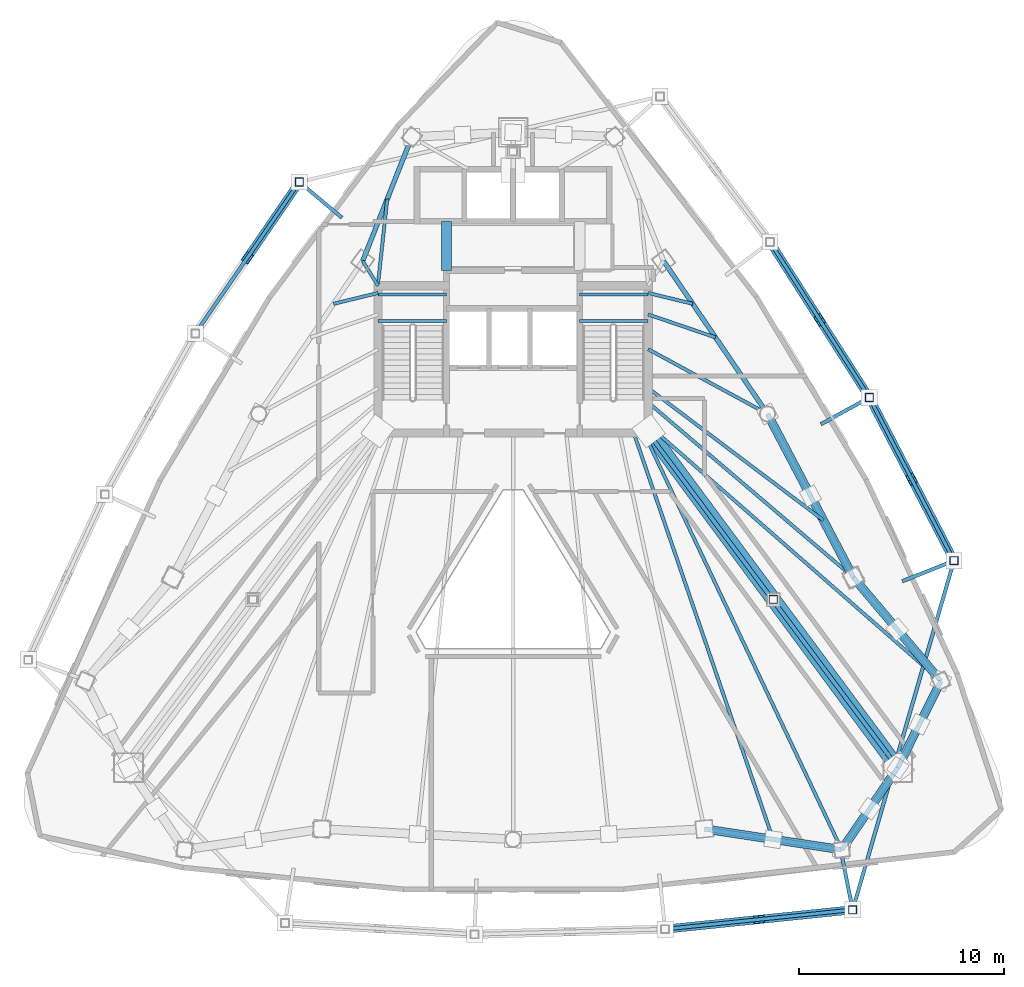
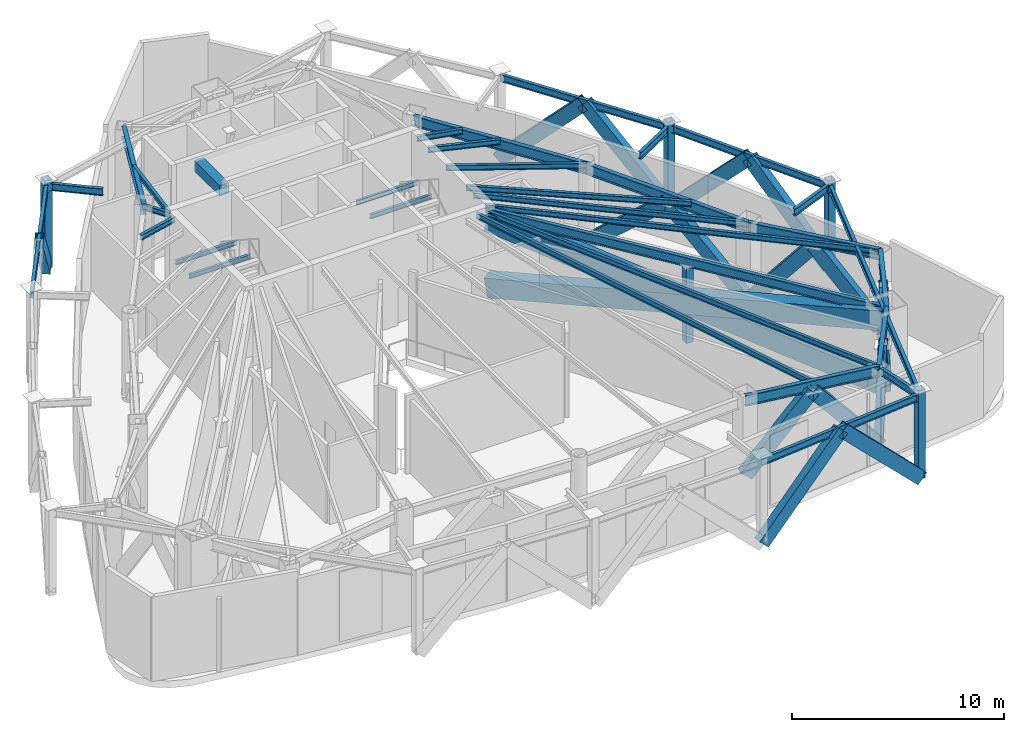
# One storey, part 3 of 10: 33 beams, 24 members.
"""IFC4 building model written with IfcOpenShell, lengths in metres."""

from ifc_helpers import new_model, si_unit, direction, frame, origin, origin_2d, place, context, subcontext, project, spatial, rectangle, hollow_rectangle, i_section, extrude, material, material_profile, profile_set, type_object, element, save


model = new_model("IFC4")

# Units and contexts
model_context = context("Model", 3, precision=1e-05, world=origin(), true_north=direction((0.0, 1.0)))
body_context = subcontext(model_context, "Body", "Model", "MODEL_VIEW")
ifc_project = project(units=[si_unit("LENGTHUNIT", "METRE"), si_unit("AREAUNIT", "SQUARE_METRE"), si_unit("VOLUMEUNIT", "CUBIC_METRE"), si_unit("PLANEANGLEUNIT", "RADIAN"), si_unit("MASSUNIT", "GRAM", prefix="KILO")], contexts=[model_context])

# Site, building, storey
site_placement = place(None, origin())
site = spatial("IfcSite", under=ifc_project, at=site_placement, CompositionType="ELEMENT")
building_placement = place(site_placement, origin())
building = spatial("IfcBuilding", under=site, at=building_placement, Name="Orvanel Arch Residences", CompositionType="ELEMENT")
storey_placement = place(building_placement, frame((0.0, 0.0, 191.300048828125)))
storey = spatial("IfcBuildingStorey", under=building, at=storey_placement, Name="L54", CompositionType="ELEMENT", Elevation=191.300048828125)

# Beams
ifc_material_1 = material(Name="Structural steel AS/NZS 3679.1 Grade 300 (300 MPa)", Category="steel")
ifc_material_profile_1 = material_profile(ifc_material_1, i_section(OverallWidth=0.208984375, OverallDepth=0.532958984375, WebThickness=0.01025390625, FlangeThickness=0.015625, at=origin_2d()), Name="530UB92.4")
ifc_profile_set_1 = profile_set([ifc_material_profile_1], Name="Structural steel AS/NZS 3679.1 Grade 300 (300 MPa)")
beam_type_1 = type_object("IfcBeamType", Name="BG-530UB", PredefinedType="BEAM", material=ifc_profile_set_1)
beam_1_placement = place(storey_placement, frame((39.625, 26.675048828125, 4.593017578125), z_axis=(0.597893733742, -0.801575375839, 0.0), x_axis=(0.801575375839, 0.597893733742, 0.0)))
element("IfcBeam", 1, at=beam_1_placement, inside=storey, type_object=beam_type_1, Name="L54 South-East Radial Girder", PredefinedType="BEAM", context=body_context, shape_type="SweptSolid", body=[
    extrude(i_section(OverallWidth=0.208984375, OverallDepth=0.532958984375, WebThickness=0.01025390625, FlangeThickness=0.015625, at=origin_2d()), origin(), (0.0, 0.0, 1.0), 20.36474609375),
])
ifc_material_profile_2 = material_profile(ifc_material_1, i_section(OverallWidth=0.14599609375, OverallDepth=0.251953125, WebThickness=0.006103515625, FlangeThickness=0.008544921875, at=origin_2d()), Name="250UB31.4")
ifc_profile_set_2 = profile_set([ifc_material_profile_2], Name="Structural steel AS/NZS 3679.1 Grade 300 (300 MPa)")
beam_type_2 = type_object("IfcBeamType", Name="BJ-250UB", PredefinedType="JOIST", material=ifc_profile_set_2)
for number, where, z_axis, x_axis, name in (
    (2, (26.39990234375, 32.179931640625, 2.223876953125), (1.0, 0.0, 0.0), (0.0, 1.0, 0.0), "L54 ST-1 Half-Landing Support Beam 1.1"),
    (3, (26.39990234375, 33.47998046875, 2.223876953125), (1.0, 0.0, 0.0), (0.0, 1.0, 0.0), "L54 ST-1 Half-Landing Support Beam 1.2"),
    (4, (36.25, 32.179931640625, 2.223876953125), (1.0, 0.0, 0.0), (0.0, 1.0, 0.0), "L54 ST-2 Half-Landing Support Beam 1.1"),
    (5, (36.25, 33.47998046875, 2.223876953125), (1.0, 0.0, 0.0), (0.0, 1.0, 0.0), "L54 ST-2 Half-Landing Support Beam 1.2"),
):
    element("IfcBeam", number, at=place(storey_placement, frame(where, z_axis=z_axis, x_axis=x_axis)), inside=storey, type_object=beam_type_2, Name=name, PredefinedType="JOIST", context=body_context, shape_type="SweptSolid", body=[
        extrude(i_section(OverallWidth=0.14599609375, OverallDepth=0.251953125, WebThickness=0.006103515625, FlangeThickness=0.008544921875, at=origin_2d()), origin(), (0.0, 0.0, 1.0), 3.35009765625),
    ])
ifc_material_profile_3 = material_profile(ifc_material_1, i_section(OverallWidth=0.1650390625, OverallDepth=0.303955078125, WebThickness=0.006103515625, FlangeThickness=0.01025390625, at=origin_2d()), Name="310UB40.4")
ifc_profile_set_3 = profile_set([ifc_material_profile_3], Name="Structural steel AS/NZS 3679.1 Grade 300 (300 MPa)")
beam_type_3 = type_object("IfcBeamType", Name="BJ-310UB", PredefinedType="JOIST", material=ifc_profile_set_3)
beam_2_placement = place(storey_placement, frame((26.39990234375, 33.89990234375, 4.7080078125), z_axis=(-0.526843290616, 0.84996243866, 0.0), x_axis=(-0.84996243866, -0.526843290616, 0.0)))
element("IfcBeam", 6, at=beam_2_placement, inside=storey, type_object=beam_type_3, Name="L54 NNW Wing Floor Joist", PredefinedType="JOIST", context=body_context, shape_type="SweptSolid", body=[
    extrude(i_section(OverallWidth=0.1650390625, OverallDepth=0.303955078125, WebThickness=0.006103515625, FlangeThickness=0.01025390625, at=origin_2d()), origin(), (0.0, 0.0, 1.0), 1.42724609375),
])
beam_3_placement = place(storey_placement, frame((39.60009765625, 30.800048828125, 4.7080078125), z_axis=(0.87925534649, -0.476350748576, 0.0), x_axis=(0.476350748576, 0.87925534649, 0.0)))
element("IfcBeam", 7, at=beam_3_placement, inside=storey, type_object=beam_type_3, Name="L54 NE Wing Floor Joist", PredefinedType="JOIST", context=body_context, shape_type="SweptSolid", body=[
    extrude(i_section(OverallWidth=0.1650390625, OverallDepth=0.303955078125, WebThickness=0.006103515625, FlangeThickness=0.01025390625, at=origin_2d()), origin(), (0.0, 0.0, 1.0), 6.631591796875),
])
beam_4_placement = place(storey_placement, frame((39.60009765625, 28.199951171875, 4.7080078125), z_axis=(0.760821315761, -0.648961420644, 0.0), x_axis=(0.648961420644, 0.760821315761, 0.0)))
element("IfcBeam", 8, at=beam_4_placement, inside=storey, type_object=beam_type_3, Name="L54 E Wing Floor Joist", PredefinedType="JOIST", context=body_context, shape_type="SweptSolid", body=[
    extrude(i_section(OverallWidth=0.1650390625, OverallDepth=0.303955078125, WebThickness=0.006103515625, FlangeThickness=0.01025390625, at=origin_2d()), origin(), (0.0, 0.0, 1.0), 13.18701171875),
])
beam_5_placement = place(storey_placement, frame((26.39990234375, 34.02001953125, 4.7080078125), z_axis=(0.108261441852, 0.99412245735, 0.0), x_axis=(-0.99412245735, 0.108261441852, 0.0)))
element("IfcBeam", 9, at=beam_5_placement, inside=storey, type_object=beam_type_3, Name="L54 NNW2 Wing Floor Joist", PredefinedType="JOIST", context=body_context, shape_type="SweptSolid", body=[
    extrude(i_section(OverallWidth=0.1650390625, OverallDepth=0.303955078125, WebThickness=0.006103515625, FlangeThickness=0.01025390625, at=origin_2d()), origin(), (0.0, 0.0, 1.0), 4.1494140625),
])
beam_6_placement = place(storey_placement, frame((39.60009765625, 32.5, 4.7080078125), z_axis=(0.9464126781, -0.322959815969, 0.0), x_axis=(0.322959815969, 0.9464126781, 0.0)))
element("IfcBeam", 10, at=beam_6_placement, inside=storey, type_object=beam_type_3, Name="L54 ENE Wing Floor Joist", PredefinedType="JOIST", context=body_context, shape_type="SweptSolid", body=[
    extrude(i_section(OverallWidth=0.1650390625, OverallDepth=0.303955078125, WebThickness=0.006103515625, FlangeThickness=0.01025390625, at=origin_2d()), origin(), (0.0, 0.0, 1.0), 3.477294921875),
])
beam_7_placement = place(storey_placement, frame((39.60009765625, 27.10009765625, 4.7080078125), z_axis=(0.752493154183, -0.658600070534, 0.0), x_axis=(0.658600070534, 0.752493154183, 0.0)))
element("IfcBeam", 11, at=beam_7_placement, inside=storey, type_object=beam_type_3, Name="L54 ME Wing Floor Joist", PredefinedType="JOIST", context=body_context, shape_type="SweptSolid", body=[
    extrude(i_section(OverallWidth=0.1650390625, OverallDepth=0.303955078125, WebThickness=0.006103515625, FlangeThickness=0.01025390625, at=origin_2d()), origin(), (0.0, 0.0, 1.0), 19.010009765625),
])
beam_8_placement = place(storey_placement, frame((39.39990234375, 26.699951171875, 4.7080078125), z_axis=(0.428614365266, -0.903487534993, 0.0), x_axis=(0.903487534993, 0.428614365266, 0.0)))
element("IfcBeam", 12, at=beam_8_placement, inside=storey, type_object=beam_type_3, Name="L54 MSE Wing Floor Joist", PredefinedType="JOIST", context=body_context, shape_type="SweptSolid", body=[
    extrude(i_section(OverallWidth=0.1650390625, OverallDepth=0.303955078125, WebThickness=0.006103515625, FlangeThickness=0.01025390625, at=origin_2d()), origin(), (0.0, 0.0, 1.0), 22.535888671875),
])
beam_9_placement = place(storey_placement, frame((39.60009765625, 28.89990234375, 4.7080078125), z_axis=(0.798363428886, -0.602175917334, 0.0), x_axis=(0.602175917334, 0.798363428886, 0.0)))
element("IfcBeam", 13, at=beam_9_placement, inside=storey, type_object=beam_type_3, Name="L54 CTE Wing Floor Joist", PredefinedType="JOIST", context=body_context, shape_type="SweptSolid", body=[
    extrude(i_section(OverallWidth=0.1650390625, OverallDepth=0.303955078125, WebThickness=0.006103515625, FlangeThickness=0.01025390625, at=origin_2d()), origin(), (0.0, 0.0, 1.0), 10.724365234375),
])
beam_10_placement = place(storey_placement, frame((38.89990234375, 26.699951171875, 4.7080078125), z_axis=(0.324257108963, -0.945968988544, 0.0), x_axis=(0.945968988544, 0.324257108963, 0.0)))
element("IfcBeam", 14, at=beam_10_placement, inside=storey, type_object=beam_type_3, Name="L54 JADD2 Wing Floor Joist", PredefinedType="JOIST", context=body_context, shape_type="SweptSolid", body=[
    extrude(i_section(OverallWidth=0.1650390625, OverallDepth=0.303955078125, WebThickness=0.006103515625, FlangeThickness=0.01025390625, at=origin_2d()), origin(), (0.0, 0.0, 1.0), 20.987060546875),
])
for number, where, z_axis, x_axis, name in (
    (15, (26.39990234375, 33.550048828125, 4.7080078125), (-0.971638471014, -0.236471312521, 0.0), (0.236471312521, -0.971638471014, 0.0), "L54 JADD3 Wing Floor Joist"),
    (16, (39.60009765625, 33.550048828125, 4.7080078125), (0.971638471014, -0.236471312521, 0.0), (0.236471312521, 0.971638471014, 0.0), "L54 JADD4 Wing Floor Joist"),
):
    element("IfcBeam", number, at=place(storey_placement, frame(where, z_axis=z_axis, x_axis=x_axis)), inside=storey, type_object=beam_type_3, Name=name, PredefinedType="JOIST", context=body_context, shape_type="SweptSolid", body=[
        extrude(i_section(OverallWidth=0.1650390625, OverallDepth=0.303955078125, WebThickness=0.006103515625, FlangeThickness=0.01025390625, at=origin_2d()), origin(), (0.0, 0.0, 1.0), 2.2373046875),
    ])

# Members
ifc_material_2 = material(Name="Structural steel AS/NZS 3678 Grade 350", Category="steel")
ifc_material_profile_4 = material_profile(ifc_material_2, hollow_rectangle(XDim=0.419921875, YDim=0.719970703125, WallThickness=0.02490234375, at=origin_2d()), Name="RHS720x420x25")
ifc_profile_set_4 = profile_set([ifc_material_profile_4], Name="Structural steel AS/NZS 3678 Grade 350")
member_type_1 = type_object("IfcMemberType", Name="BR-720RHS", PredefinedType="BRACE", material=ifc_profile_set_4)
for number, where, z_axis, x_axis, name in (
    (17, (42.35107421875, 7.35498046875, 0.300048828125), (0.6385667081, -0.09672858637, 0.763463253788), (0.149769136012, 0.988720994972, 0.0), "L54 Belt-Truss Chevron 07.1"),
    (18, (49.05908203125, 6.339111328125, 0.300048828125), (-0.6385695785, 0.096682539182, 0.763466685607), (-0.149698779423, -0.988731649862, 0.0), "L54 Belt-Truss Chevron 07.2"),
):
    element("IfcMember", number, at=place(storey_placement, frame(where, z_axis=z_axis, x_axis=x_axis)), inside=storey, type_object=member_type_1, Name=name, PredefinedType="BRACE", context=body_context, shape_type="SweptSolid", body=[
        extrude(hollow_rectangle(XDim=0.419921875, YDim=0.719970703125, WallThickness=0.02490234375, at=origin_2d()), origin(), (0.0, 0.0, 1.0), 5.25244140625),
    ])
member_1_placement = place(storey_placement, frame((49.05908203125, 6.339111328125, 0.300048828125), z_axis=(0.29237991119, 0.427817159454, 0.855269820355), x_axis=(-0.825610313036, 0.564240738522, 0.0)))
element("IfcMember", 19, at=member_1_placement, inside=storey, type_object=member_type_1, Name="L54 Belt-Truss Chevron 08.1", PredefinedType="BRACE", context=body_context, shape_type="SweptSolid", body=[
    extrude(hollow_rectangle(XDim=0.419921875, YDim=0.719970703125, WallThickness=0.02490234375, at=origin_2d()), origin(), (0.0, 0.0, 1.0), 4.6884765625),
])
member_2_placement = place(storey_placement, frame((51.801025390625, 10.35107421875, 0.300048828125), z_axis=(-0.292421015586, -0.427853184663, 0.855237745903), x_axis=(0.825595495301, -0.56426241957, 0.0)))
element("IfcMember", 20, at=member_2_placement, inside=storey, type_object=member_type_1, Name="L54 Belt-Truss Chevron 08.2", PredefinedType="BRACE", context=body_context, shape_type="SweptSolid", body=[
    extrude(hollow_rectangle(XDim=0.419921875, YDim=0.719970703125, WallThickness=0.02490234375, at=origin_2d()), origin(), (0.0, 0.0, 1.0), 4.688720703125),
])
member_3_placement = place(storey_placement, frame((51.801025390625, 10.35107421875, 0.300048828125), z_axis=(0.22604068618, 0.454441973631, 0.861619464029), x_axis=(-0.89535544198, 0.445352256665, 0.0)))
element("IfcMember", 21, at=member_3_placement, inside=storey, type_object=member_type_1, Name="L54 Belt-Truss Chevron 09.1", PredefinedType="BRACE", context=body_context, shape_type="SweptSolid", body=[
    extrude(hollow_rectangle(XDim=0.419921875, YDim=0.719970703125, WallThickness=0.02490234375, at=origin_2d()), origin(), (0.0, 0.0, 1.0), 4.654052734375),
])
member_4_placement = place(storey_placement, frame((53.905029296875, 14.580078125, 0.300048828125), z_axis=(-0.226062238647, -0.454275452413, 0.861701617494), x_axis=(0.895273400092, -0.44551715914, 0.0)))
element("IfcMember", 22, at=member_4_placement, inside=storey, type_object=member_type_1, Name="L54 Belt-Truss Chevron 09.2", PredefinedType="BRACE", context=body_context, shape_type="SweptSolid", body=[
    extrude(hollow_rectangle(XDim=0.419921875, YDim=0.719970703125, WallThickness=0.02490234375, at=origin_2d()), origin(), (0.0, 0.0, 1.0), 4.653564453125),
])
for number, where, z_axis, x_axis, name in (
    (23, (53.905029296875, 14.580078125, 0.300048828125), (-0.410701245615, 0.486654453456, 0.771033027686), (-0.764224490659, -0.644950329775, 0.0), "L54 Belt-Truss Chevron 10.1"),
    (24, (49.633056640625, 19.64208984375, 0.300048828125), (0.410701245615, -0.486654453456, 0.771033027686), (0.764224490659, 0.644950329775, 0.0), "L54 Belt-Truss Chevron 10.2"),
):
    element("IfcMember", number, at=place(storey_placement, frame(where, z_axis=z_axis, x_axis=x_axis)), inside=storey, type_object=member_type_1, Name=name, PredefinedType="BRACE", context=body_context, shape_type="SweptSolid", body=[
        extrude(hollow_rectangle(XDim=0.419921875, YDim=0.719970703125, WallThickness=0.02490234375, at=origin_2d()), origin(), (0.0, 0.0, 1.0), 5.200927734375),
    ])
member_5_placement = place(storey_placement, frame((49.633056640625, 19.64208984375, 0.300048828125), z_axis=(-0.347797573101, 0.662132865174, 0.663789813873), x_axis=(-0.885300033521, -0.465020269072, 0.0)))
element("IfcMember", 25, at=member_5_placement, inside=storey, type_object=member_type_1, Name="L54 Belt-Truss Chevron 11.1", PredefinedType="BRACE", context=body_context, shape_type="SweptSolid", body=[
    extrude(hollow_rectangle(XDim=0.419921875, YDim=0.719970703125, WallThickness=0.02490234375, at=origin_2d()), origin(), (0.0, 0.0, 1.0), 6.041015625),
])
member_6_placement = place(storey_placement, frame((45.430908203125, 27.64111328125, 0.300048828125), z_axis=(0.347834801435, -0.662042069196, 0.66386086609), x_axis=(0.885253281653, 0.465109263853, 0.0)))
element("IfcMember", 26, at=member_6_placement, inside=storey, type_object=member_type_1, Name="L54 Belt-Truss Chevron 11.2", PredefinedType="BRACE", context=body_context, shape_type="SweptSolid", body=[
    extrude(hollow_rectangle(XDim=0.419921875, YDim=0.719970703125, WallThickness=0.02490234375, at=origin_2d()), origin(), (0.0, 0.0, 1.0), 6.04052734375),
])
ifc_material_profile_5 = material_profile(ifc_material_2, hollow_rectangle(XDim=0.419921875, YDim=0.719970703125, WallThickness=0.02490234375, at=origin_2d()), Name="RHS720x420x25")
ifc_profile_set_5 = profile_set([ifc_material_profile_5], Name="Structural steel AS/NZS 3678 Grade 350")
member_type_2 = type_object("IfcMemberType", Name="BR-720RHS-EXT", PredefinedType="BRACE", material=ifc_profile_set_5)
member_7_placement = place(storey_placement, frame((22.553955078125, 38.972900390625, 0.0), z_axis=(-0.393052336052, -0.572182466547, 0.719803505202), x_axis=(0.824259158993, -0.566212715167, 0.0)))
element("IfcMember", 27, at=member_7_placement, inside=storey, type_object=member_type_2, Name="L54 Exterior Sky-Garden V-Frame Chevron F1B1.1", PredefinedType="BRACE", context=body_context, shape_type="SweptSolid", body=[
    extrude(hollow_rectangle(XDim=0.419921875, YDim=0.719970703125, WallThickness=0.02490234375, at=origin_2d()), origin(), (0.0, 0.0, 1.0), 6.4697265625),
])
member_8_placement = place(storey_placement, frame((40.427001953125, 2.45703125, 0.0), z_axis=(0.699813976138, 0.072313614123, 0.710655429878), x_axis=(-0.102785328673, 0.994703561977, 0.0)))
element("IfcMember", 28, at=member_8_placement, inside=storey, type_object=member_type_2, Name="L54 Exterior Sky-Garden V-Frame Chevron F2B3.1", PredefinedType="BRACE", context=body_context, shape_type="SweptSolid", body=[
    extrude(hollow_rectangle(XDim=0.419921875, YDim=0.719970703125, WallThickness=0.02490234375, at=origin_2d()), origin(), (0.0, 0.0, 1.0), 6.552978515625),
])
member_9_placement = place(storey_placement, frame((49.597900390625, 3.405029296875, 0.0), z_axis=(-0.699736037453, -0.072358220699, 0.710727631225), x_axis=(0.10285939557, -0.994695905663, 0.0)))
element("IfcMember", 29, at=member_9_placement, inside=storey, type_object=member_type_2, Name="L54 Exterior Sky-Garden V-Frame Chevron F2B3.2", PredefinedType="BRACE", context=body_context, shape_type="SweptSolid", body=[
    extrude(hollow_rectangle(XDim=0.419921875, YDim=0.719970703125, WallThickness=0.02490234375, at=origin_2d()), origin(), (0.0, 0.0, 1.0), 6.552490234375),
])
member_10_placement = place(storey_placement, frame((54.547119140625, 20.467041015625, 0.0), z_axis=(-0.319781083348, 0.61620588462, 0.719743264291), x_axis=(-0.887597362839, -0.460620148801, 0.0)))
element("IfcMember", 30, at=member_10_placement, inside=storey, type_object=member_type_2, Name="L54 Exterior Sky-Garden V-Frame Chevron F3B1.1", PredefinedType="BRACE", context=body_context, shape_type="SweptSolid", body=[
    extrude(hollow_rectangle(XDim=0.419921875, YDim=0.719970703125, WallThickness=0.02490234375, at=origin_2d()), origin(), (0.0, 0.0, 1.0), 6.470458984375),
])
member_11_placement = place(storey_placement, frame((50.409912109375, 28.44091796875, 0.0), z_axis=(0.3196530112, -0.616212214956, 0.719794733636), x_axis=(0.887674713916, 0.460471065621, 0.0)))
element("IfcMember", 31, at=member_11_placement, inside=storey, type_object=member_type_2, Name="L54 Exterior Sky-Garden V-Frame Chevron F3B1.2", PredefinedType="BRACE", context=body_context, shape_type="SweptSolid", body=[
    extrude(hollow_rectangle(XDim=0.419921875, YDim=0.719970703125, WallThickness=0.02490234375, at=origin_2d()), origin(), (0.0, 0.0, 1.0), 6.469970703125),
])
member_12_placement = place(storey_placement, frame((50.409912109375, 28.44091796875, 0.0), z_axis=(-0.374446508313, 0.586134404573, 0.718495840063), x_axis=(-0.842714687046, -0.538360433387, 0.0)))
element("IfcMember", 32, at=member_12_placement, inside=storey, type_object=member_type_2, Name="L54 Exterior Sky-Garden V-Frame Chevron F3B2.1", PredefinedType="BRACE", context=body_context, shape_type="SweptSolid", body=[
    extrude(hollow_rectangle(XDim=0.419921875, YDim=0.719970703125, WallThickness=0.02490234375, at=origin_2d()), origin(), (0.0, 0.0, 1.0), 6.481689453125),
])
member_13_placement = place(storey_placement, frame((45.555908203125, 36.0400390625, 0.0), z_axis=(0.374413440537, -0.586233296646, 0.718432388919), x_axis=(0.842777453907, 0.538262169566, 0.0)))
element("IfcMember", 33, at=member_13_placement, inside=storey, type_object=member_type_2, Name="L54 Exterior Sky-Garden V-Frame Chevron F3B2.2", PredefinedType="BRACE", context=body_context, shape_type="SweptSolid", body=[
    extrude(hollow_rectangle(XDim=0.419921875, YDim=0.719970703125, WallThickness=0.02490234375, at=origin_2d()), origin(), (0.0, 0.0, 1.0), 6.482177734375),
])

# Beams
ifc_material_3 = material(Name="Concrete S65 (65 MPa)", Category="concrete")
ifc_material_profile_6 = material_profile(ifc_material_3, rectangle(XDim=0.5, YDim=0.60009765625, at=origin_2d()), Name="RC500x600")
ifc_profile_set_6 = profile_set([ifc_material_profile_6], Name="Concrete S65 (65 MPa)")
beam_type_4 = type_object("IfcBeamType", Name="CB-500x600", PredefinedType="LINTEL", material=ifc_profile_set_6)
beam_11_placement = place(storey_placement, frame((29.739990234375, 34.64990234375, 4.56005859375), z_axis=(0.0, 1.0, 0.0), x_axis=(-1.0, 0.0, 0.0)))
element("IfcBeam", 34, at=beam_11_placement, inside=storey, type_object=beam_type_4, Name="L54 West Core Lobby Coupling Lintel Beam", PredefinedType="LINTEL", context=body_context, shape_type="SweptSolid", body=[
    extrude(rectangle(XDim=0.5, YDim=0.60009765625, at=origin_2d()), origin(), (0.0, 0.0, 1.0), 2.400146484375),
])
ifc_material_profile_7 = material_profile(ifc_material_1, i_section(OverallWidth=0.177978515625, OverallDepth=0.406005859375, WebThickness=0.0078125, FlangeThickness=0.0126953125, at=origin_2d()), Name="410UB59.7")
ifc_profile_set_7 = profile_set([ifc_material_profile_7], Name="Structural steel AS/NZS 3679.1 Grade 300 (300 MPa)")
beam_type_5 = type_object("IfcBeamType", Name="OB-410UB-EXT", PredefinedType="SPANDREL", material=ifc_profile_set_7)
beam_12_placement = place(storey_placement, frame((24.635009765625, 37.22705078125, 4.656982421875), z_axis=(-0.76611017017, 0.642709271103, 0.0), x_axis=(-0.642709271103, -0.76611017017, 0.0)))
element("IfcBeam", 35, at=beam_12_placement, inside=storey, type_object=beam_type_5, Name="L54 Outer Frame Radial Tie Beam 01", PredefinedType="SPANDREL", context=body_context, shape_type="SweptSolid", body=[
    extrude(i_section(OverallWidth=0.177978515625, OverallDepth=0.406005859375, WebThickness=0.0078125, FlangeThickness=0.0126953125, at=origin_2d()), origin(), (0.0, 0.0, 1.0), 2.71630859375),
])
beam_13_placement = place(storey_placement, frame((22.553955078125, 38.972900390625, 4.656982421875), z_axis=(-0.566286572922, -0.824208418623, 0.0), x_axis=(0.824208418623, -0.566286572922, 0.0)))
element("IfcBeam", 36, at=beam_13_placement, inside=storey, type_object=beam_type_5, Name="L54 Outer Perimeter Floor Ring Beam 01", PredefinedType="SPANDREL", context=body_context, shape_type="SweptSolid", body=[
    extrude(i_section(OverallWidth=0.177978515625, OverallDepth=0.406005859375, WebThickness=0.0078125, FlangeThickness=0.0126953125, at=origin_2d()), origin(), (0.0, 0.0, 1.0), 8.98291015625),
])
beam_14_placement = place(storey_placement, frame((40.427001953125, 2.45703125, 4.656982421875), z_axis=(0.994699734902, 0.102822358392, 0.0), x_axis=(-0.102822358392, 0.994699734902, 0.0)))
element("IfcBeam", 37, at=beam_14_placement, inside=storey, type_object=beam_type_5, Name="L54 Outer Perimeter Floor Ring Beam 07", PredefinedType="SPANDREL", context=body_context, shape_type="SweptSolid", body=[
    extrude(i_section(OverallWidth=0.177978515625, OverallDepth=0.406005859375, WebThickness=0.0078125, FlangeThickness=0.0126953125, at=origin_2d()), origin(), (0.0, 0.0, 1.0), 9.2197265625),
])
beam_15_placement = place(storey_placement, frame((49.05810546875, 6.072998046875, 4.656982421875), z_axis=(0.198306169007, -0.980140124336, 0.0), x_axis=(0.980140124336, 0.198306169007, 0.0)))
element("IfcBeam", 38, at=beam_15_placement, inside=storey, type_object=beam_type_5, Name="L54 Outer Frame Radial Tie Beam 08", PredefinedType="SPANDREL", context=body_context, shape_type="SweptSolid", body=[
    extrude(i_section(OverallWidth=0.177978515625, OverallDepth=0.406005859375, WebThickness=0.0078125, FlangeThickness=0.0126953125, at=origin_2d()), origin(), (0.0, 0.0, 1.0), 2.721923828125),
])
beam_16_placement = place(storey_placement, frame((49.597900390625, 3.405029296875, 4.656982421875), z_axis=(0.278588592423, 0.960410535225, 0.0), x_axis=(-0.960410535225, 0.278588592423, 0.0)))
element("IfcBeam", 39, at=beam_16_placement, inside=storey, type_object=beam_type_5, Name="L54 Outer Perimeter Floor Ring Beam 08", PredefinedType="SPANDREL", context=body_context, shape_type="SweptSolid", body=[
    extrude(i_section(OverallWidth=0.177978515625, OverallDepth=0.406005859375, WebThickness=0.0078125, FlangeThickness=0.0126953125, at=origin_2d()), origin(), (0.0, 0.0, 1.0), 17.765380859375),
])
beam_17_placement = place(storey_placement, frame((52.02197265625, 19.4609375, 4.656982421875), z_axis=(0.928977580131, 0.370135996106, 0.0), x_axis=(-0.370135996106, 0.928977580131, 0.0)))
element("IfcBeam", 40, at=beam_17_placement, inside=storey, type_object=beam_type_5, Name="L54 Outer Frame Radial Tie Beam 09", PredefinedType="SPANDREL", context=body_context, shape_type="SweptSolid", body=[
    extrude(i_section(OverallWidth=0.177978515625, OverallDepth=0.406005859375, WebThickness=0.0078125, FlangeThickness=0.0126953125, at=origin_2d()), origin(), (0.0, 0.0, 1.0), 2.71826171875),
])
beam_18_placement = place(storey_placement, frame((54.547119140625, 20.467041015625, 4.656982421875), z_axis=(-0.460545614365, 0.887636038638, 0.0), x_axis=(-0.887636038638, -0.460545614365, 0.0)))
element("IfcBeam", 41, at=beam_18_placement, inside=storey, type_object=beam_type_5, Name="L54 Outer Perimeter Floor Ring Beam 09", PredefinedType="SPANDREL", context=body_context, shape_type="SweptSolid", body=[
    extrude(i_section(OverallWidth=0.177978515625, OverallDepth=0.406005859375, WebThickness=0.0078125, FlangeThickness=0.0126953125, at=origin_2d()), origin(), (0.0, 0.0, 1.0), 8.983154296875),
])
beam_19_placement = place(storey_placement, frame((48.0390625, 27.133056640625, 4.656982421875), z_axis=(0.875607929632, 0.483022518694, 0.0), x_axis=(-0.483022518694, 0.875607929632, 0.0)))
element("IfcBeam", 42, at=beam_19_placement, inside=storey, type_object=beam_type_5, Name="L54 Outer Frame Radial Tie Beam 10", PredefinedType="SPANDREL", context=body_context, shape_type="SweptSolid", body=[
    extrude(i_section(OverallWidth=0.177978515625, OverallDepth=0.406005859375, WebThickness=0.0078125, FlangeThickness=0.0126953125, at=origin_2d()), origin(), (0.0, 0.0, 1.0), 2.707763671875),
])
beam_20_placement = place(storey_placement, frame((50.409912109375, 28.44091796875, 4.656982421875), z_axis=(-0.538311297907, 0.842746074773, 0.0), x_axis=(-0.842746074773, -0.538311297907, 0.0)))
element("IfcBeam", 43, at=beam_20_placement, inside=storey, type_object=beam_type_5, Name="L54 Outer Perimeter Floor Ring Beam 10", PredefinedType="SPANDREL", context=body_context, shape_type="SweptSolid", body=[
    extrude(i_section(OverallWidth=0.177978515625, OverallDepth=0.406005859375, WebThickness=0.0078125, FlangeThickness=0.0126953125, at=origin_2d()), origin(), (0.0, 0.0, 1.0), 9.01708984375),
])

# Members
ifc_material_profile_8 = material_profile(ifc_material_2, hollow_rectangle(XDim=0.719970703125, YDim=1.10009765625, WallThickness=0.035888671875, at=origin_2d()), Name="BOX1100x720x36")
ifc_profile_set_8 = profile_set([ifc_material_profile_8], Name="Structural steel AS/NZS 3678 Grade 350")
member_type_3 = type_object("IfcMemberType", Name="OR-1100BOX", PredefinedType="BRACE", material=ifc_profile_set_8)
for number, where, z_axis, x_axis, name in (
    (44, (39.625, 26.800048828125, 0.39990234375), (0.584912228847, -0.790176276112, 0.183027695213), (0.803753474747, 0.594962479348, 0.0), "L54 Core Outrigger Brace 3-1"),
    (45, (39.625, 26.800048828125, 4.2099609375), (0.584912228847, -0.790176276112, -0.183027695213), (0.803753474747, 0.594962479348, 0.0), "L54 Core Outrigger Brace 3-2"),
):
    element("IfcMember", number, at=place(storey_placement, frame(where, z_axis=z_axis, x_axis=x_axis)), inside=storey, type_object=member_type_3, Name=name, PredefinedType="BRACE", context=body_context, shape_type="SweptSolid", body=[
        extrude(hollow_rectangle(XDim=0.719970703125, YDim=1.10009765625, WallThickness=0.035888671875, at=origin_2d()), origin(), (0.0, 0.0, 1.0), 20.81689453125),
    ])

# Beams
ifc_material_profile_9 = material_profile(ifc_material_1, i_section(OverallWidth=0.22900390625, OverallDepth=0.612060546875, WebThickness=0.011962890625, FlangeThickness=0.01953125, at=origin_2d()), Name="610UB125")
ifc_profile_set_9 = profile_set([ifc_material_profile_9], Name="Structural steel AS/NZS 3679.1 Grade 300 (300 MPa)")
beam_type_6 = type_object("IfcBeamType", Name="SP-610UB", PredefinedType="SPANDREL", material=ifc_profile_set_9)
beam_21_placement = place(storey_placement, frame((42.35107421875, 7.35498046875, 4.553955078125), z_axis=(0.988726323014, -0.149733958002, 0.0), x_axis=(0.149733958002, 0.988726323014, 0.0)))
element("IfcBeam", 46, at=beam_21_placement, inside=storey, type_object=beam_type_6, Name="L54 Perimeter Spandrel Beam 07", PredefinedType="SPANDREL", context=body_context, shape_type="SweptSolid", body=[
    extrude(i_section(OverallWidth=0.22900390625, OverallDepth=0.612060546875, WebThickness=0.011962890625, FlangeThickness=0.01953125, at=origin_2d()), origin(), (0.0, 0.0, 1.0), 6.784423828125),
])
beam_22_placement = place(storey_placement, frame((49.05908203125, 6.339111328125, 4.553955078125), z_axis=(0.564251579852, 0.825602903722, 0.0), x_axis=(-0.825602903722, 0.564251579852, 0.0)))
element("IfcBeam", 47, at=beam_22_placement, inside=storey, type_object=beam_type_6, Name="L54 Perimeter Spandrel Beam 08", PredefinedType="SPANDREL", context=body_context, shape_type="SweptSolid", body=[
    extrude(i_section(OverallWidth=0.22900390625, OverallDepth=0.612060546875, WebThickness=0.011962890625, FlangeThickness=0.01953125, at=origin_2d()), origin(), (0.0, 0.0, 1.0), 4.859375),
])
beam_23_placement = place(storey_placement, frame((51.801025390625, 10.35107421875, 4.553955078125), z_axis=(0.44543469453, 0.895314432425, 0.0), x_axis=(-0.895314432425, 0.44543469453, 0.0)))
element("IfcBeam", 48, at=beam_23_placement, inside=storey, type_object=beam_type_6, Name="L54 Perimeter Spandrel Beam 09", PredefinedType="SPANDREL", context=body_context, shape_type="SweptSolid", body=[
    extrude(i_section(OverallWidth=0.22900390625, OverallDepth=0.612060546875, WebThickness=0.011962890625, FlangeThickness=0.01953125, at=origin_2d()), origin(), (0.0, 0.0, 1.0), 4.723388671875),
])
beam_24_placement = place(storey_placement, frame((53.905029296875, 14.580078125, 4.553955078125), z_axis=(-0.644950329775, 0.764224490659, 0.0), x_axis=(-0.764224490659, -0.644950329775, 0.0)))
element("IfcBeam", 49, at=beam_24_placement, inside=storey, type_object=beam_type_6, Name="L54 Perimeter Spandrel Beam 10", PredefinedType="SPANDREL", context=body_context, shape_type="SweptSolid", body=[
    extrude(i_section(OverallWidth=0.22900390625, OverallDepth=0.612060546875, WebThickness=0.011962890625, FlangeThickness=0.01953125, at=origin_2d()), origin(), (0.0, 0.0, 1.0), 6.623779296875),
])
beam_25_placement = place(storey_placement, frame((49.633056640625, 19.64208984375, 4.553955078125), z_axis=(-0.465064762793, 0.885276660942, 0.0), x_axis=(-0.885276660942, -0.465064762793, 0.0)))
element("IfcBeam", 50, at=beam_25_placement, inside=storey, type_object=beam_type_6, Name="L54 Perimeter Spandrel Beam 11", PredefinedType="SPANDREL", context=body_context, shape_type="SweptSolid", body=[
    extrude(i_section(OverallWidth=0.22900390625, OverallDepth=0.612060546875, WebThickness=0.011962890625, FlangeThickness=0.01953125, at=origin_2d()), origin(), (0.0, 0.0, 1.0), 9.03564453125),
])
beam_26_placement = place(storey_placement, frame((45.430908203125, 27.64111328125, 4.553955078125), z_axis=(-0.562154793153, 0.827032035978, 0.0), x_axis=(-0.827032035978, -0.562154793153, 0.0)))
element("IfcBeam", 51, at=beam_26_placement, inside=storey, type_object=beam_type_6, Name="L54 Perimeter Spandrel Beam 12", PredefinedType="SPANDREL", context=body_context, shape_type="SweptSolid", body=[
    extrude(i_section(OverallWidth=0.22900390625, OverallDepth=0.612060546875, WebThickness=0.011962890625, FlangeThickness=0.01953125, at=origin_2d()), origin(), (0.0, 0.0, 1.0), 9.03466796875),
])
beam_27_placement = place(storey_placement, frame((28.050048828125, 41.177978515625, 4.553955078125), z_axis=(-0.368233143579, -0.929733484376, 0.0), x_axis=(0.929733484376, -0.368233143579, 0.0)))
element("IfcBeam", 52, at=beam_27_placement, inside=storey, type_object=beam_type_6, Name="L54 Perimeter Spandrel Beam 16", PredefinedType="SPANDREL", context=body_context, shape_type="SweptSolid", body=[
    extrude(i_section(OverallWidth=0.22900390625, OverallDepth=0.612060546875, WebThickness=0.011962890625, FlangeThickness=0.01953125, at=origin_2d()), origin(), (0.0, 0.0, 1.0), 6.523193359375),
])

# Members
ifc_material_4 = material(Name="Structural steel AS/NZS 1163 C450L0 (Grade 450)", Category="steel")
ifc_material_profile_10 = material_profile(ifc_material_4, hollow_rectangle(XDim=0.39990234375, YDim=0.39990234375, WallThickness=0.01611328125, at=origin_2d()), Name="SHS400x400x16")
ifc_profile_set_10 = profile_set([ifc_material_profile_10], Name="Structural steel AS/NZS 1163 C450L0 (Grade 450)")
member_type_4 = type_object("IfcMemberType", Name="ST-400SHS", PredefinedType="STRUT", material=ifc_profile_set_10)
member_14_placement = place(storey_placement, frame((45.712890625, 18.575927734375, 0.0), z_axis=(0.0, 0.0, 1.0), x_axis=(1.0, 0.0, 0.0)))
element("IfcMember", 53, at=member_14_placement, inside=storey, type_object=member_type_4, Name="L54 Outrigger Vertical Web Strut 3", PredefinedType="STRUT", context=body_context, shape_type="SweptSolid", body=[
    extrude(hollow_rectangle(XDim=0.39990234375, YDim=0.39990234375, WallThickness=0.01611328125, at=origin_2d()), origin(), (0.0, 0.0, 1.0), 4.35986328125),
])
ifc_material_profile_11 = material_profile(ifc_material_4, hollow_rectangle(XDim=0.39990234375, YDim=0.39990234375, WallThickness=0.01611328125, at=origin_2d()), Name="SHS400x400x16")
ifc_profile_set_11 = profile_set([ifc_material_profile_11], Name="Structural steel AS/NZS 1163 C450L0 (Grade 450)")
member_type_5 = type_object("IfcMemberType", Name="ST-400SHS-EXT", PredefinedType="STRUT", material=ifc_profile_set_11)
for number, where, z_axis, x_axis, name in (
    (54, (22.553955078125, 38.972900390625, 0.0), (0.0, 0.0, 1.0), (1.0, 0.0, 0.0), "L54 Outer Perimeter Frame Post 01"),
    (55, (49.597900390625, 3.405029296875, 0.0), (0.0, 0.0, 1.0), (1.0, 0.0, 0.0), "L54 Outer Perimeter Frame Post 08"),
    (56, (54.547119140625, 20.467041015625, 0.0), (0.0, 0.0, 1.0), (1.0, 0.0, 0.0), "L54 Outer Perimeter Frame Post 09"),
    (57, (50.409912109375, 28.44091796875, 0.0), (0.0, 0.0, 1.0), (1.0, 0.0, 0.0), "L54 Outer Perimeter Frame Post 10"),
):
    element("IfcMember", number, at=place(storey_placement, frame(where, z_axis=z_axis, x_axis=x_axis)), inside=storey, type_object=member_type_5, Name=name, PredefinedType="STRUT", context=body_context, shape_type="SweptSolid", body=[
        extrude(hollow_rectangle(XDim=0.39990234375, YDim=0.39990234375, WallThickness=0.01611328125, at=origin_2d()), origin(), (0.0, 0.0, 1.0), 5.099853515625),
    ])

save(model, "model.ifc")
